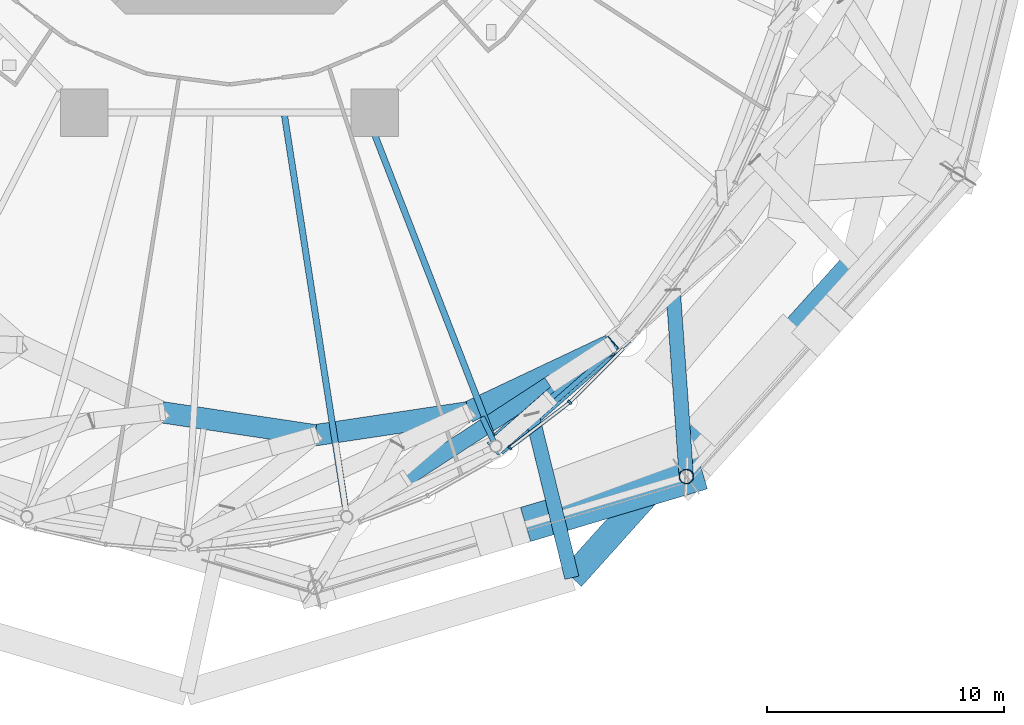
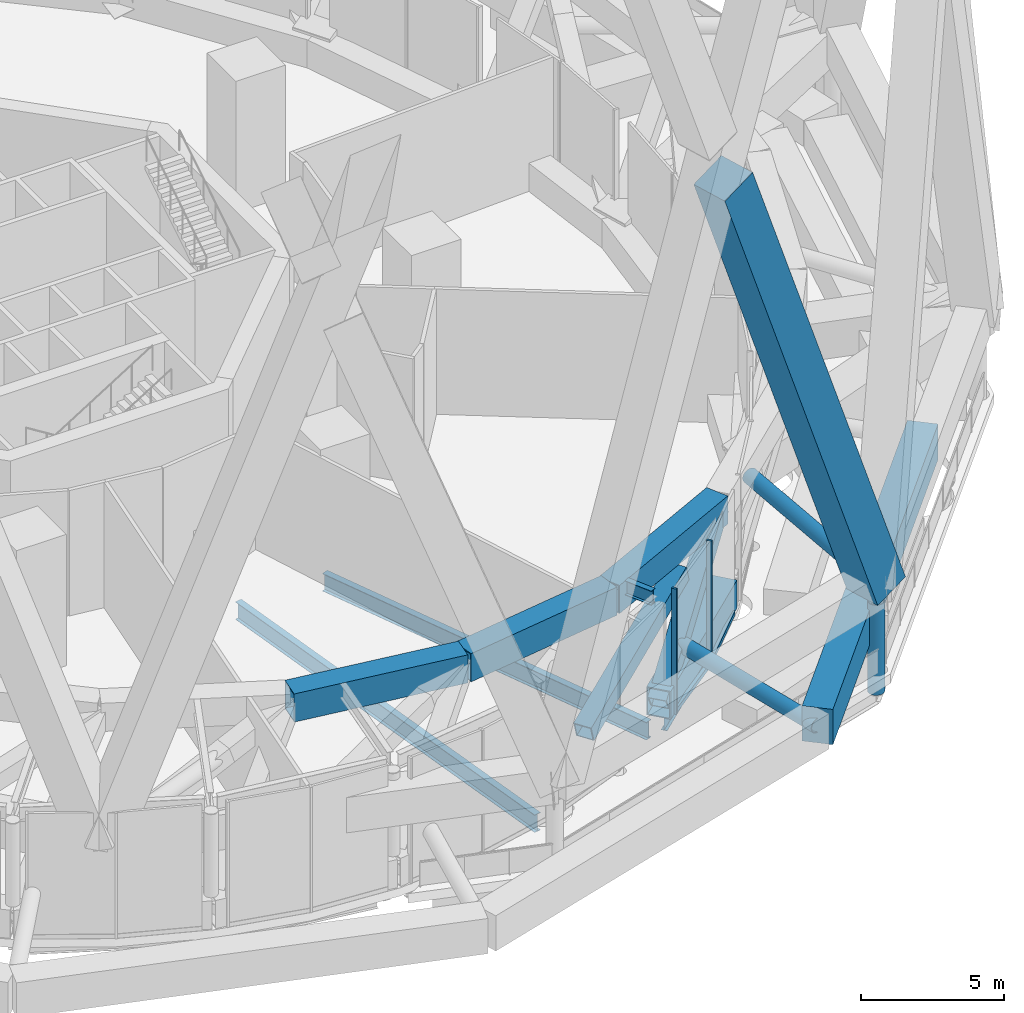
# One storey, part 16 of 49: 10 beams, 9 members, 2 elements without a shape of their own.
"""IFC4 building model written with IfcOpenShell, lengths in metres."""

import ifcopenshell
import ifcopenshell.guid

model = None  # the IFC model being written
_history = None  # IfcOwnerHistory: only IFC2X3 demands one
_inside = {}  # id of a spatial element -> (the spatial element, [elements in it])
_under = {}  # id of a project, library or spatial element -> (it, [spatial elements below it])
_declared = {}  # id of a project -> (the project, [libraries it declares])
_typed = {}  # id of a type object -> (the type object, [elements of that type])
_made_of = {}  # id of a material, layer set ... -> (it, [elements and type objects made of it])


def new_model(schema):
    """Start an empty IFC model of exactly this schema.

    Asked for "IFC4X3", IfcOpenShell would pick the latest addendum, in which some entities
    have other attributes; the version numbers below select the first issue.
    IFC2X3 requires an IfcOwnerHistory on every rooted entity: one is made here for all.
    """
    global model, _history
    if schema == "IFC4X3":
        model = ifcopenshell.file(schema_version=(4, 3, 0, 0))
    else:
        model = ifcopenshell.file(schema=schema)
    _inside.clear()
    _under.clear()
    _declared.clear()
    _typed.clear()
    _made_of.clear()
    _history = None
    if model.schema == "IFC2X3":
        org = make("IfcOrganization", Name="unknown")
        user = make(
            "IfcPersonAndOrganization",
            ThePerson=make("IfcPerson", FamilyName="unknown"),
            TheOrganization=org,
        )
        app = make(
            "IfcApplication",
            ApplicationDeveloper=org,
            Version="unknown",
            ApplicationFullName="unknown",
            ApplicationIdentifier="unknown",
        )
        _history = make(
            "IfcOwnerHistory",
            OwningUser=user,
            OwningApplication=app,
            ChangeAction="ADDED",
            CreationDate=0,
        )
    return model


def make(cls, **values):
    """One entity of the class cls with the attributes given. An attribute that is None is left unset."""
    return model.create_entity(
        cls, **{name: value for name, value in values.items() if value is not None}
    )


def rooted(cls, **values):
    """An entity with a GlobalId (a new one), such as an element, a storey or a relation."""
    return make(cls, GlobalId=ifcopenshell.guid.new(), OwnerHistory=_history, **values)


def si_unit(unit_type, name, prefix=None):
    """IfcSIUnit, for example si_unit("LENGTHUNIT", "METRE", prefix="MILLI")."""
    return make("IfcSIUnit", UnitType=unit_type, Prefix=prefix, Name=name)


def assignment(units):
    """IfcUnitAssignment: the units of a project."""
    return None if units is None else make("IfcUnitAssignment", Units=units)


def point(xyz):
    """IfcCartesianPoint."""
    return None if xyz is None else make("IfcCartesianPoint", Coordinates=xyz)


def direction(xyz):
    """IfcDirection."""
    return None if xyz is None else make("IfcDirection", DirectionRatios=xyz)


def frame(location, z_axis=None, x_axis=None):
    """IfcAxis2Placement3D, a coordinate frame: its origin and axes. An axis left out is left unset."""
    return make(
        "IfcAxis2Placement3D",
        Location=point(location),
        Axis=direction(z_axis),
        RefDirection=direction(x_axis),
    )


def frame_2d(location, x_axis=None):
    """IfcAxis2Placement2D, a coordinate frame in the plane: its origin and x axis."""
    return make(
        "IfcAxis2Placement2D", Location=point(location), RefDirection=direction(x_axis)
    )


def origin():
    """The frame at (0, 0, 0) with its axes left unset."""
    return frame((0.0, 0.0, 0.0))


def origin_2d():
    """The frame at (0, 0) in the plane with its x axis left unset."""
    return frame_2d((0.0, 0.0))


def place(relative_to, where):
    """IfcLocalPlacement: puts the frame where relative to a parent placement (None: the world)."""
    return make(
        "IfcLocalPlacement", PlacementRelTo=relative_to, RelativePlacement=where
    )


def context(
    kind, dimensions, precision=None, world=None, true_north=None, identifier=None
):
    """IfcGeometricRepresentationContext, for example the 3D "Model" context."""
    return make(
        "IfcGeometricRepresentationContext",
        ContextIdentifier=identifier,
        ContextType=kind,
        CoordinateSpaceDimension=dimensions,
        Precision=precision,
        WorldCoordinateSystem=world,
        TrueNorth=true_north,
    )


def subcontext(parent, identifier, kind, view, scale=None):
    """IfcGeometricRepresentationSubContext, for example "Body" below "Model"."""
    return make(
        "IfcGeometricRepresentationSubContext",
        ContextIdentifier=identifier,
        ContextType=kind,
        ParentContext=parent,
        TargetScale=scale,
        TargetView=view,
    )


def project(units=None, contexts=None):
    """IfcProject with its units and contexts."""
    return rooted(
        "IfcProject",
        Name="project",
        RepresentationContexts=contexts,
        UnitsInContext=assignment(units),
    )


def spatial(cls, under=None, at=None, **own):
    """A site, building, storey or space (cls), placed at a placement, below another one or the project."""
    s = rooted(cls, ObjectPlacement=at, **own)
    if under is not None:
        _under.setdefault(under.id(), (under, []))[1].append(s)
    return s


def profile(cls, at=None, kind="AREA", **sizes):
    """A parametric profile (cls). Its sizes go by their IFC names, for example OverallWidth=200.0."""
    return make(cls, ProfileType=kind, Position=at, **sizes)


def rectangle(**sizes):
    """IfcRectangleProfileDef."""
    return profile("IfcRectangleProfileDef", **sizes)


def hollow_rectangle(**sizes):
    """IfcRectangleHollowProfileDef."""
    return profile("IfcRectangleHollowProfileDef", **sizes)


def hollow_circle(**sizes):
    """IfcCircleHollowProfileDef."""
    return profile("IfcCircleHollowProfileDef", **sizes)


def i_section(**sizes):
    """IfcIShapeProfileDef."""
    return profile("IfcIShapeProfileDef", **sizes)


def extrude(swept, where, along, depth):
    """IfcExtrudedAreaSolid: the profile swept, set in the frame where, extruded along a direction by depth."""
    return make(
        "IfcExtrudedAreaSolid",
        SweptArea=swept,
        Position=where,
        ExtrudedDirection=direction(along),
        Depth=depth,
    )


def shape(context_of_items, identifier, shape_type, items):
    """IfcShapeRepresentation: the items that make up one representation, for example the "Body"."""
    return make(
        "IfcShapeRepresentation",
        ContextOfItems=context_of_items,
        RepresentationIdentifier=identifier,
        RepresentationType=shape_type,
        Items=items,
    )


def material(Name=None, Category=None):
    """IfcMaterial."""
    return make("IfcMaterial", Name=Name, Category=Category)


def layer(
    of_material, thickness, ventilated=None, Name=None, Category=None, Priority=None
):
    """IfcMaterialLayer: one layer of a wall or slab, of a material (None: an air gap)."""
    return make(
        "IfcMaterialLayer",
        Material=of_material,
        LayerThickness=thickness,
        IsVentilated=ventilated,
        Name=Name,
        Category=Category,
        Priority=Priority,
    )


def layer_set(layers, Name=None):
    """IfcMaterialLayerSet."""
    return make("IfcMaterialLayerSet", MaterialLayers=layers, LayerSetName=Name)


def material_profile(
    of_material, cross_section, Name=None, Category=None, Priority=None
):
    """IfcMaterialProfile: a cross section and its material."""
    return make(
        "IfcMaterialProfile",
        Name=Name,
        Material=of_material,
        Profile=cross_section,
        Priority=Priority,
        Category=Category,
    )


def profile_set(profiles, Name=None, composite=None):
    """IfcMaterialProfileSet."""
    return make(
        "IfcMaterialProfileSet",
        Name=Name,
        MaterialProfiles=profiles,
        CompositeProfile=composite,
    )


def made_of(thing, what):
    """Note that an element or type object is made of a material, layer set ...; save() writes the relation."""
    if what is not None:
        _made_of.setdefault(what.id(), (what, []))[1].append(thing)
    return thing


def type_object(cls, material=None, **own):
    """A type object (cls), such as IfcWallType, which elements share."""
    return made_of(rooted(cls, **own), material)


def element(
    cls,
    number,
    at=None,
    inside=None,
    cuts=None,
    type_object=None,
    material=None,
    context=None,
    identifier="Body",
    shape_type=None,
    held_by="IfcProductDefinitionShape",
    body=None,
    shapes=None,
    **own,
):
    """One element of the class cls, such as IfcWall. Its Tag is "e" and its number.

    at: its placement. inside: the storey or other place that contains it. cuts: it is an
    opening in that element (IfcRelVoidsElement). A single representation is given by context,
    identifier, shape_type and body (its items); several are given by shapes. held_by: the class
    of the entity that holds the representations. save() writes the other relations.
    """
    e = rooted(cls, Tag="e%d" % number, ObjectPlacement=at, **own)
    if body is not None:
        shapes = [shape(context, identifier, shape_type, body)]
    if shapes is not None:
        e.Representation = make(held_by, Representations=shapes)
    if inside is not None:
        _inside.setdefault(inside.id(), (inside, []))[1].append(e)
    if cuts is not None:
        rooted(
            "IfcRelVoidsElement", RelatingBuildingElement=cuts, RelatedOpeningElement=e
        )
    if type_object is not None:
        _typed.setdefault(type_object.id(), (type_object, []))[1].append(e)
    return made_of(e, material)


def aggregate(whole, parts):
    """IfcRelAggregates: a whole, such as a stair, and the parts it consists of."""
    return rooted("IfcRelAggregates", RelatingObject=whole, RelatedObjects=parts)


def save(model, path):
    """Write the relations noted so far, then the file.

    IfcRelAggregates (storeys below a building ...), IfcRelContainedInSpatialStructure (elements
    in a storey), IfcRelDefinesByType, IfcRelAssociatesMaterial and IfcRelDeclares: one each for
    every whole, place, type object, material and project.
    """
    for whole, parts in _under.values():
        aggregate(whole, parts)
    for where, things in _inside.values():
        rooted(
            "IfcRelContainedInSpatialStructure",
            RelatedElements=things,
            RelatingStructure=where,
        )
    for kind, things in _typed.values():
        rooted("IfcRelDefinesByType", RelatedObjects=things, RelatingType=kind)
    for what, things in _made_of.values():
        rooted("IfcRelAssociatesMaterial", RelatedObjects=things, RelatingMaterial=what)
    for by, libraries in _declared.values():
        rooted("IfcRelDeclares", RelatingContext=by, RelatedDefinitions=libraries)
    model.write(path)


model = new_model("IFC4")

# Units and contexts
model_context = context("Model", 3, precision=1e-05, world=origin(), true_north=direction((0.0, 1.0)))
body_context = subcontext(model_context, "Body", "Model", "MODEL_VIEW")
ifc_project = project(units=[si_unit("LENGTHUNIT", "METRE"), si_unit("AREAUNIT", "SQUARE_METRE"), si_unit("VOLUMEUNIT", "CUBIC_METRE"), si_unit("PLANEANGLEUNIT", "RADIAN"), si_unit("MASSUNIT", "GRAM", prefix="KILO")], contexts=[model_context])

# Site, building, storey
site_placement = place(None, origin())
site = spatial("IfcSite", under=ifc_project, at=site_placement, CompositionType="ELEMENT")
building_placement = place(site_placement, origin())
building = spatial("IfcBuilding", under=site, at=building_placement, Name="Nagisa Residences", CompositionType="ELEMENT")
storey_placement = place(building_placement, frame((0.0, 0.0, 160.300048828125)))
storey = spatial("IfcBuildingStorey", under=building, at=storey_placement, Name="L40", CompositionType="ELEMENT", Elevation=160.300048828125)

# Beams
ifc_material_1 = material(Name="Steel ASTM A572 Gr 50", Category="steel")
ifc_material_profile_1 = material_profile(ifc_material_1, hollow_rectangle(XDim=0.89990234375, YDim=1.199951171875, WallThickness=0.044921875, at=origin_2d()), Name="BX 900x1200x45")
ifc_profile_set_1 = profile_set([ifc_material_profile_1], Name="Steel ASTM A572 Gr 50")
beam_type_1 = type_object("IfcBeamType", Name="Belt chord 3 BX 900x1200x45", PredefinedType="BEAM", material=ifc_profile_set_1)
beam_1_placement = place(storey_placement, frame((-2.838134765625, -27.408203125, 4.739990234375), z_axis=(0.988912409684, -0.148499986438, 0.0), x_axis=(0.148499986438, 0.988912409684, 0.0)))
element("IfcBeam", 1, at=beam_1_placement, inside=storey, type_object=beam_type_1, Name="beam:L40:bt3t18", PredefinedType="BEAM", context=body_context, shape_type="SweptSolid", body=[
    extrude(hollow_rectangle(XDim=0.89990234375, YDim=1.199951171875, WallThickness=0.044921875, at=origin_2d()), origin(), (0.0, 0.0, 1.0), 6.510498046875),
])
beam_2_placement = place(storey_placement, frame((3.60009765625, -28.375, 4.739990234375), z_axis=(0.988911582679, 0.148505493645, 0.0), x_axis=(-0.148505493645, 0.988911582679, 0.0)))
element("IfcBeam", 2, at=beam_2_placement, inside=storey, type_object=beam_type_1, Name="beam:L40:bt3t19", PredefinedType="BEAM", context=body_context, shape_type="SweptSolid", body=[
    extrude(hollow_rectangle(XDim=0.89990234375, YDim=1.199951171875, WallThickness=0.044921875, at=origin_2d()), origin(), (0.0, 0.0, 1.0), 6.51025390625),
])
beam_3_placement = place(storey_placement, frame((10.0380859375, -27.408203125, 4.739990234375), z_axis=(0.9041547037, 0.427205186973, 0.0), x_axis=(-0.427205186973, 0.9041547037, 0.0)))
element("IfcBeam", 3, at=beam_3_placement, inside=storey, type_object=beam_type_1, Name="beam:L40:bt3t20", PredefinedType="BEAM", context=body_context, shape_type="SweptSolid", body=[
    extrude(hollow_rectangle(XDim=0.89990234375, YDim=1.199951171875, WallThickness=0.044921875, at=origin_2d()), origin(), (0.0, 0.0, 1.0), 6.635498046875),
])
beam_4_placement = place(storey_placement, frame((11.217529296875, -28.834228515625, 0.599853515625), z_axis=(0.752513371651, 0.658576970055, 0.0), x_axis=(-0.658576970055, 0.752513371651, 0.0)))
element("IfcBeam", 4, at=beam_4_placement, inside=storey, type_object=beam_type_1, Name="beam:L40:bt3b21", PredefinedType="BEAM", context=body_context, shape_type="SweptSolid", body=[
    extrude(hollow_rectangle(XDim=0.89990234375, YDim=1.199951171875, WallThickness=0.044921875, at=origin_2d()), origin(), (0.0, 0.0, 1.0), 7.16552734375),
])
ifc_material_2 = material(Name="Steel ASTM A572 Gr 50", Category="steel")
ifc_material_profile_2 = material_profile(ifc_material_2, hollow_rectangle(XDim=0.699951171875, YDim=0.699951171875, WallThickness=0.0400390625, at=origin_2d()), Name="BX 700x700x40")
ifc_profile_set_2 = profile_set([ifc_material_profile_2], Name="Steel ASTM A572 Gr 50")
beam_type_2 = type_object("IfcBeamType", Name="Belt diagonal 3 BX 700x700x40", PredefinedType="BEAM", material=ifc_profile_set_2)
beam_5_placement = place(storey_placement, frame((7.418212890625, -30.18603515625, 1.52490234375), z_axis=(0.799831647899, 0.520827265055, 0.298342579922), x_axis=(-0.545678069389, 0.837994895323, 0.0)))
element("IfcBeam", 5, at=beam_5_placement, inside=storey, type_object=beam_type_2, Name="beam:L40:bt3db20", PredefinedType="BEAM", context=body_context, shape_type="SweptSolid", body=[
    extrude(hollow_rectangle(XDim=0.699951171875, YDim=0.699951171875, WallThickness=0.0400390625, at=origin_2d()), origin(), (0.0, 0.0, 1.0), 7.67578125),
])
beam_6_placement = place(storey_placement, frame((11.217529296875, -28.834228515625, 0.599853515625), z_axis=(0.630046223789, 0.556934948972, 0.541170230614), x_axis=(-0.662297891067, 0.749240617885, 0.0)))
element("IfcBeam", 6, at=beam_6_placement, inside=storey, type_object=beam_type_2, Name="beam:L40:bt3da21", PredefinedType="BEAM", context=body_context, shape_type="SweptSolid", body=[
    extrude(hollow_rectangle(XDim=0.699951171875, YDim=0.699951171875, WallThickness=0.0400390625, at=origin_2d()), origin(), (0.0, 0.0, 1.0), 7.650390625),
])

# Curtain wall, member
ifc_material_3 = material(Name="Aluminium curtain wall system", Category="aluminium")
ifc_layer = layer(ifc_material_3, 0.159912109375)
ifc_layer_set = layer_set([ifc_layer], Name="CW2 CURTAIN WALL")
curtain_wall_type = type_object("IfcCurtainWallType", Name="CW2 CURTAIN WALL", PredefinedType="NOTDEFINED", material=ifc_layer_set)
curtain_wall_1_placement = place(storey_placement, origin())
curtain_wall_1 = element("IfcCurtainWall", 7, at=curtain_wall_1_placement, inside=storey, type_object=curtain_wall_type, Name="cw:CW2:L40:40", PredefinedType="NOTDEFINED")
ifc_material_4 = material(Name="Aluminium", Category="aluminium")
ifc_material_profile_3 = material_profile(ifc_material_4, rectangle(XDim=0.199951171875, YDim=0.080078125, at=origin_2d()), Name="CW2 MULLION 200x80")
ifc_profile_set_3 = profile_set([ifc_material_profile_3], Name="Aluminium")
member_type_1 = type_object("IfcMemberType", Name="CW2 MULLION 200x80", PredefinedType="MULLION", material=ifc_profile_set_3)
member_1_placement = place(storey_placement, frame((11.80908203125, -28.906982421875, 0.0), z_axis=(0.0, 0.0, 1.0), x_axis=(-0.605255421737, 0.79603132756, 0.0)))
member_1 = element("IfcMember", 8, at=member_1_placement, type_object=member_type_1, Name="CW2 mullion", PredefinedType="MULLION", context=body_context, shape_type="SweptSolid", body=[
    extrude(rectangle(XDim=0.199951171875, YDim=0.080078125, at=origin_2d()), origin(), (0.0, 0.0, 1.0), 5.33984375),
])

curtain_wall_2_placement = place(storey_placement, origin())
curtain_wall_2 = element("IfcCurtainWall", 9, at=curtain_wall_2_placement, inside=storey, type_object=curtain_wall_type, Name="cw:CW2:L40:41", PredefinedType="NOTDEFINED")
member_2_placement = place(storey_placement, frame((14.3251953125, -26.988037109375, 0.0), z_axis=(0.0, 0.0, 1.0), x_axis=(-0.706376885714, 0.707835924016, 0.0)))
member_2 = element("IfcMember", 10, at=member_2_placement, type_object=member_type_1, Name="CW2 mullion", PredefinedType="MULLION", context=body_context, shape_type="SweptSolid", body=[
    extrude(rectangle(XDim=0.199951171875, YDim=0.080078125, at=origin_2d()), origin(), (0.0, 0.0, 1.0), 5.33984375),
])

# Member
ifc_material_5 = material(Name="Aluminium", Category="aluminium")
ifc_material_profile_4 = material_profile(ifc_material_5, rectangle(XDim=0.139892578125, YDim=0.179931640625, at=origin_2d()), Name="CW2 TRANSOM 140x180")
ifc_profile_set_4 = profile_set([ifc_material_profile_4], Name="Aluminium")
member_type_2 = type_object("IfcMemberType", Name="CW2 TRANSOM 140x180", PredefinedType="USERDEFINED", material=ifc_profile_set_4)
member_3_placement = place(storey_placement, frame((11.77734375, -28.931396484375, 0.08984375), z_axis=(0.796015506154, 0.605276229471, 0.0), x_axis=(-0.605276229471, 0.796015506154, 0.0)))
member_3 = element("IfcMember", 11, at=member_3_placement, type_object=member_type_2, Name="CW2 transom", ObjectType="TRANSOM", PredefinedType="USERDEFINED", context=body_context, shape_type="SweptSolid", body=[
    extrude(rectangle(XDim=0.139892578125, YDim=0.179931640625, at=origin_2d()), origin(), (0.0, 0.0, 1.0), 3.175537109375),
])

aggregate(curtain_wall_1, [member_1, member_3])

member_4_placement = place(storey_placement, frame((14.296875, -27.016357421875, 0.08984375), z_axis=(0.707860625726, 0.706352132118, 0.0), x_axis=(-0.706352132118, 0.707860625726, 0.0)))
member_4 = element("IfcMember", 12, at=member_4_placement, type_object=member_type_2, Name="CW2 transom", ObjectType="TRANSOM", PredefinedType="USERDEFINED", context=body_context, shape_type="SweptSolid", body=[
    extrude(rectangle(XDim=0.139892578125, YDim=0.179931640625, at=origin_2d()), origin(), (0.0, 0.0, 1.0), 3.23681640625),
])

aggregate(curtain_wall_2, [member_2, member_4])

# Members
ifc_material_6 = material(Name="Concrete C80", Category="concrete")
ifc_material_profile_5 = material_profile(ifc_material_6, rectangle(XDim=1.5, YDim=1.5, at=origin_2d()), Name="C80 1500x1500")
ifc_profile_set_5 = profile_set([ifc_material_profile_5], Name="Concrete C80")
member_type_3 = type_object("IfcMemberType", Name="Cage diagonal 4 C80 1500x1500", PredefinedType="BRACE", material=ifc_profile_set_5)
member_5_placement = place(storey_placement, frame((19.237548828125, -30.115966796875, 3.699951171875), z_axis=(-0.3299278727, -0.098301947441, 0.938873967019), x_axis=(0.285544780584, -0.958365367843, 0.0)))
element("IfcMember", 13, at=member_5_placement, inside=storey, type_object=member_type_3, Name="mem:L40:cg4d020a", PredefinedType="BRACE", context=body_context, shape_type="SweptSolid", body=[
    extrude(rectangle(XDim=1.5, YDim=1.5, at=origin_2d()), origin(), (0.0, 0.0, 1.0), 22.558349609375),
])
ifc_material_7 = material(Name="Concrete C80", Category="concrete")
ifc_material_profile_6 = material_profile(ifc_material_7, rectangle(XDim=1.10009765625, YDim=1.5, at=origin_2d()), Name="C80 1100x1500")
ifc_profile_set_6 = profile_set([ifc_material_profile_6], Name="Concrete C80")
member_type_4 = type_object("IfcMemberType", Name="Cage ring 3 C80 1100x1500", PredefinedType="CHORD", material=ifc_profile_set_6)
member_6_placement = place(storey_placement, frame((14.41748046875, -34.376953125, 1.89990234375), z_axis=(0.668391192024, 0.743809931652, 0.0), x_axis=(-0.743809931652, 0.668391192024, 0.0)))
element("IfcMember", 14, at=member_6_placement, inside=storey, type_object=member_type_4, Name="beam:L40:cg3r111", PredefinedType="CHORD", context=body_context, shape_type="SweptSolid", body=[
    extrude(rectangle(XDim=1.10009765625, YDim=1.5, at=origin_2d()), origin(), (0.0, 0.0, 1.0), 17.76220703125),
])
ifc_material_8 = material(Name="Steel ASTM A572 Gr 65", Category="steel")
ifc_material_profile_7 = material_profile(ifc_material_8, hollow_circle(Radius=0.304931640625, WallThickness=0.02490234375, at=origin_2d()), Name="CHS 610x25")
ifc_profile_set_7 = profile_set([ifc_material_profile_7], Name="Steel ASTM A572 Gr 65")
member_type_5 = type_object("IfcMemberType", Name="Cage strut CHS 610x25", PredefinedType="STRUT", material=ifc_profile_set_7)
member_7_placement = place(storey_placement, frame((14.41748046875, -34.376953125, 1.89990234375), z_axis=(-0.238065125408, 0.971249193598, 0.0), x_axis=(-0.971249193598, -0.238065125408, 0.0)))
element("IfcMember", 15, at=member_7_placement, inside=storey, type_object=member_type_5, Name="mem:L40:bt3st3a11", PredefinedType="STRUT", context=body_context, shape_type="SweptSolid", body=[
    extrude(hollow_circle(Radius=0.304931640625, WallThickness=0.02490234375, at=origin_2d()), origin(), (0.0, 0.0, 1.0), 7.084228515625),
])
member_8_placement = place(storey_placement, frame((19.237548828125, -30.115966796875, 3.699951171875), z_axis=(-0.070312049035, 0.99752504518, 0.0), x_axis=(-0.99752504518, -0.070312049035, 0.0)))
element("IfcMember", 16, at=member_8_placement, inside=storey, type_object=member_type_5, Name="mem:L40:bt3st4b11", PredefinedType="STRUT", context=body_context, shape_type="SweptSolid", body=[
    extrude(hollow_circle(Radius=0.304931640625, WallThickness=0.02490234375, at=origin_2d()), origin(), (0.0, 0.0, 1.0), 7.8681640625),
])
ifc_material_9 = material(Name="Steel ASTM A572 Gr 65", Category="steel")
ifc_material_profile_8 = material_profile(ifc_material_9, hollow_circle(Radius=0.304931640625, WallThickness=0.02490234375, at=origin_2d()), Name="CHS 610x25")
ifc_profile_set_8 = profile_set([ifc_material_profile_8], Name="Steel ASTM A572 Gr 65")
member_type_6 = type_object("IfcMemberType", Name="Deck hanger CHS 610x25", PredefinedType="POST", material=ifc_profile_set_8)
member_9_placement = place(storey_placement, frame((19.237548828125, -30.115966796875, 2.949951171875), z_axis=(0.0, 0.0, -1.0), x_axis=(1.0, 0.0, 0.0)))
element("IfcMember", 17, at=member_9_placement, inside=storey, type_object=member_type_6, Name="mem:L40:deckhanger08", PredefinedType="POST", context=body_context, shape_type="SweptSolid", body=[
    extrude(hollow_circle(Radius=0.304931640625, WallThickness=0.02490234375, at=origin_2d()), origin(), (0.0, 0.0, 1.0), 3.840087890625),
])

# Beams
ifc_material_10 = material(Name="Steel ASTM A572 Gr 50", Category="steel")
ifc_material_profile_9 = material_profile(ifc_material_10, i_section(OverallWidth=0.22802734375, OverallDepth=0.60302734375, WebThickness=0.010498046875, FlangeThickness=0.014892578125, at=origin_2d()), Name="W610x101")
ifc_profile_set_9 = profile_set([ifc_material_profile_9], Name="Steel ASTM A572 Gr 50")
beam_type_3 = type_object("IfcBeamType", Name="Garden radial beam W610x101", PredefinedType="BEAM", material=ifc_profile_set_9)
beam_7_placement = place(storey_placement, frame((11.117431640625, -28.622802734375, 5.038330078125), z_axis=(-0.427129041272, 0.904190677956, 0.0), x_axis=(-0.904190677956, -0.427129041272, 0.0)))
element("IfcBeam", 18, at=beam_7_placement, inside=storey, type_object=beam_type_3, Name="beam:L40:bt3gr21", PredefinedType="BEAM", context=body_context, shape_type="SweptSolid", body=[
    extrude(i_section(OverallWidth=0.22802734375, OverallDepth=0.60302734375, WebThickness=0.010498046875, FlangeThickness=0.014892578125, at=origin_2d()), origin(), (0.0, 0.0, 1.0), 1.12939453125),
])
ifc_material_11 = material(Name="Steel ASTM A572 Gr 50", Category="steel")
ifc_material_profile_10 = material_profile(ifc_material_11, i_section(OverallWidth=0.22802734375, OverallDepth=0.60302734375, WebThickness=0.010498046875, FlangeThickness=0.014892578125, at=origin_2d()), Name="W610x101")
ifc_profile_set_10 = profile_set([ifc_material_profile_10], Name="Steel ASTM A572 Gr 50")
beam_type_4 = type_object("IfcBeamType", Name="Perimeter ring beam W610x101", PredefinedType="BEAM", material=ifc_profile_set_10)
beam_8_placement = place(storey_placement, frame((11.658203125, -28.448486328125, -0.651611328125), z_axis=(0.75252371036, 0.658565156493, 0.0), x_axis=(-0.658565156493, 0.75252371036, 0.0)))
element("IfcBeam", 19, at=beam_8_placement, inside=storey, type_object=beam_type_4, Name="beam:L40:pb21", PredefinedType="BEAM", context=body_context, shape_type="SweptSolid", body=[
    extrude(i_section(OverallWidth=0.22802734375, OverallDepth=0.60302734375, WebThickness=0.010498046875, FlangeThickness=0.014892578125, at=origin_2d()), origin(), (0.0, 0.0, 1.0), 5.994384765625),
])
ifc_material_12 = material(Name="Steel ASTM A572 Gr 50", Category="steel")
ifc_material_profile_11 = material_profile(ifc_material_12, i_section(OverallWidth=0.264892578125, OverallDepth=0.7529296875, WebThickness=0.01318359375, FlangeThickness=0.01708984375, at=origin_2d()), Name="W760x147")
ifc_profile_set_11 = profile_set([ifc_material_profile_11], Name="Steel ASTM A572 Gr 50")
beam_type_5 = type_object("IfcBeamType", Name="Radial beam W760x147", PredefinedType="BEAM", material=ifc_profile_set_11)
beam_9_placement = place(storey_placement, frame((4.87158203125, -31.371337890625, -0.7265625), z_axis=(-0.153441195288, 0.988157780715, 0.0), x_axis=(-0.988157780715, -0.153441195288, 0.0)))
element("IfcBeam", 20, at=beam_9_placement, inside=storey, type_object=beam_type_5, Name="beam:L40:rb20", PredefinedType="BEAM", context=body_context, shape_type="SweptSolid", body=[
    extrude(i_section(OverallWidth=0.264892578125, OverallDepth=0.7529296875, WebThickness=0.01318359375, FlangeThickness=0.01708984375, at=origin_2d()), origin(), (0.0, 0.0, 1.0), 16.660400390625),
])
beam_10_placement = place(storey_placement, frame((11.057861328125, -28.424072265625, -0.7265625), z_axis=(-0.362558376658, 0.931961063304, 0.0), x_axis=(-0.931961063304, -0.362558376658, 0.0)))
element("IfcBeam", 21, at=beam_10_placement, inside=storey, type_object=beam_type_5, Name="beam:L40:rb21", PredefinedType="BEAM", context=body_context, shape_type="SweptSolid", body=[
    extrude(i_section(OverallWidth=0.264892578125, OverallDepth=0.7529296875, WebThickness=0.01318359375, FlangeThickness=0.01708984375, at=origin_2d()), origin(), (0.0, 0.0, 1.0), 14.501220703125),
])

save(model, "model.ifc")
